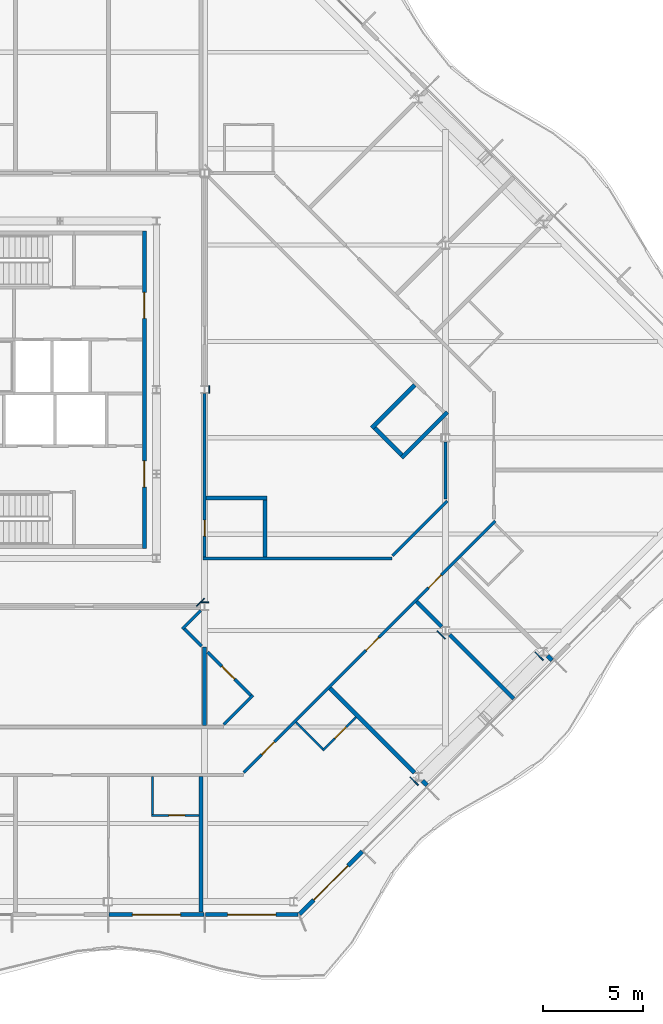
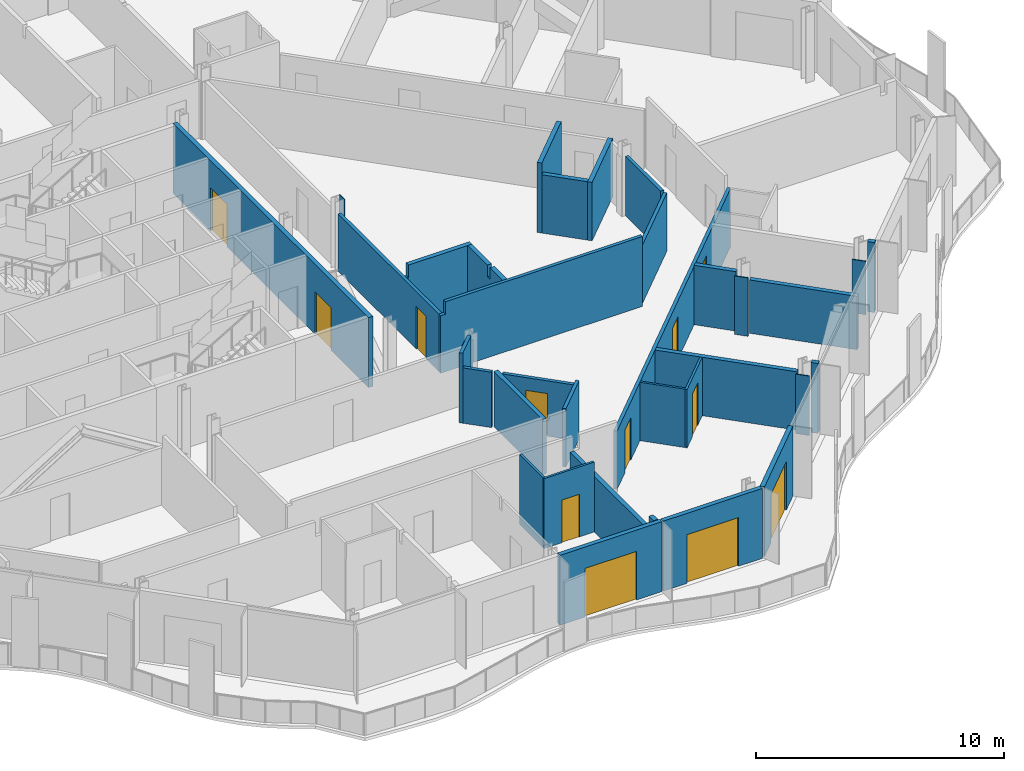
# One storey, part 9 of 17: 35 walls, 12 doors, 12 openings.
"""IFC4 building model written with IfcOpenShell, lengths in metres."""

from ifc_helpers import new_model, si_unit, direction, frame, frame_2d, origin, place, context, subcontext, project, spatial, polyline, rectangle, outline, extrude, material, layer, layer_set, type_object, element, fill, save


model = new_model("IFC4")

# Units and contexts
model_context = context("Model", 3, precision=1e-05, world=origin(), true_north=direction((0.0, 1.0)))
body_context = subcontext(model_context, "Body", "Model", "MODEL_VIEW")
ifc_project = project(units=[si_unit("LENGTHUNIT", "METRE"), si_unit("AREAUNIT", "SQUARE_METRE"), si_unit("VOLUMEUNIT", "CUBIC_METRE"), si_unit("PLANEANGLEUNIT", "RADIAN"), si_unit("MASSUNIT", "GRAM", prefix="KILO")], contexts=[model_context])

# Site, building, storey
site_placement = place(None, origin())
site = spatial("IfcSite", under=ifc_project, at=site_placement, CompositionType="ELEMENT")
building_placement = place(site_placement, origin())
building = spatial("IfcBuilding", under=site, at=building_placement, Name="Cairn Pilgrim Tower", CompositionType="ELEMENT")
storey_placement = place(building_placement, frame((0.0, 0.0, 253.800048828125)))
storey = spatial("IfcBuildingStorey", under=building, at=storey_placement, Name="L65", CompositionType="ELEMENT", Elevation=253.800048828125)

# Wall, opening, door
ifc_material_1 = material(Name="Bronze anodised aluminium insulated sandwich panel with mineral wool fill", Category="aluminium")
ifc_layer_1 = layer(ifc_material_1, 0.199951171875)
ifc_layer_set_1 = layer_set([ifc_layer_1], Name="BRONZE INFILL FRAME WALL 200")
wall_type_1 = type_object("IfcWallType", Name="BRONZE INFILL FRAME WALL 200", PredefinedType="NOTDEFINED", material=ifc_layer_set_1)
wall_1_placement = place(storey_placement, frame((14.429931640625, -23.75, 0.0), z_axis=(0.0, 0.0, 1.0), x_axis=(1.0, 0.0, 0.0)))
wall_1 = element("IfcWall", 1, at=wall_1_placement, inside=storey, type_object=wall_type_1, Name="Bronze infill frame wall IW-S3", PredefinedType="NOTDEFINED", context=body_context, shape_type="SweptSolid", body=[
    extrude(rectangle(XDim=4.739990234375, YDim=0.199951171875, at=frame_2d((2.3701171875, 0.0))), origin(), (0.0, 0.0, 1.0), 3.449951171875),
])
opening_1_placement = place(wall_1_placement, frame((1.169921875, 0.0, 0.0)))
opening_1 = element("IfcOpeningElement", 2, at=opening_1_placement, cuts=wall_1, Name="Opening 6515SB", PredefinedType="OPENING", context=body_context, shape_type="SweptSolid", body=[
    extrude(rectangle(XDim=2.39990234375, YDim=2.39990234375, at=frame_2d((1.199951171875, 1.199951171875))), frame((0.0, 0.10986328125, 0.0), z_axis=(0.0, -1.0, 0.0), x_axis=(1.0, 0.0, 0.0)), (0.0, 0.0, 1.0), 0.219970703125),
])
ifc_material_2 = material(Name="Bronze anodised aluminium frame with tinted low-E glass", Category="aluminium")
door_type_1 = type_object("IfcDoorType", Name="BALCONY SLIDING DOOR 2400x2400", OperationType="DOUBLE_DOOR_SLIDING", PredefinedType="DOOR", material=ifc_material_2)
door_1_placement = place(opening_1_placement, origin())
door_1 = element("IfcDoor", 3, at=door_1_placement, inside=storey, type_object=door_type_1, Name="Balcony sliding door 6515SB", OperationType="SINGLE_SWING_LEFT", OverallHeight=2.39990234375, OverallWidth=2.39990234375, PredefinedType="DOOR", context=body_context, shape_type="SweptSolid", body=[
    extrude(rectangle(XDim=2.39990234375, YDim=2.39990234375, at=frame_2d((1.199951171875, 1.199951171875))), frame((0.0, 0.02490234375, 0.0), z_axis=(0.0, -1.0, 0.0), x_axis=(1.0, 0.0, 0.0)), (0.0, 0.0, 1.0), 0.050048828125),
])
fill(opening_1, door_1)

wall_2_placement = place(storey_placement, frame((19.22998046875, -23.75, 0.0), z_axis=(0.0, 0.0, 1.0), x_axis=(1.0, 0.0, 0.0)))
wall_2 = element("IfcWall", 4, at=wall_2_placement, inside=storey, type_object=wall_type_1, Name="Bronze infill frame wall IW-S4", PredefinedType="NOTDEFINED", context=body_context, shape_type="SweptSolid", body=[
    extrude(rectangle(XDim=4.62646484375, YDim=0.199951171875, at=frame_2d((2.313232421875, 0.0))), origin(), (0.0, 0.0, 1.0), 3.449951171875),
])
opening_2_placement = place(wall_2_placement, frame((1.11865234375, 0.0, 0.0)))
opening_2 = element("IfcOpeningElement", 5, at=opening_2_placement, cuts=wall_2, Name="Opening 6501B", PredefinedType="OPENING", context=body_context, shape_type="SweptSolid", body=[
    extrude(rectangle(XDim=2.39990234375, YDim=2.39990234375, at=frame_2d((1.199951171875, 1.199951171875))), frame((0.0, 0.10986328125, 0.0), z_axis=(0.0, -1.0, 0.0), x_axis=(1.0, 0.0, 0.0)), (0.0, 0.0, 1.0), 0.219970703125),
])
door_2_placement = place(opening_2_placement, origin())
door_2 = element("IfcDoor", 6, at=door_2_placement, inside=storey, type_object=door_type_1, Name="Balcony sliding door 6501B", OperationType="SINGLE_SWING_LEFT", OverallHeight=2.39990234375, OverallWidth=2.39990234375, PredefinedType="DOOR", context=body_context, shape_type="SweptSolid", body=[
    extrude(rectangle(XDim=2.39990234375, YDim=2.39990234375, at=frame_2d((1.199951171875, 1.199951171875))), frame((0.0, 0.02490234375, 0.0), z_axis=(0.0, -1.0, 0.0), x_axis=(1.0, 0.0, 0.0)), (0.0, 0.0, 1.0), 0.050048828125),
])
fill(opening_2, door_2)

wall_3_placement = place(storey_placement, frame((23.9248046875, -23.7216796875, 0.0), z_axis=(0.0, 0.0, 1.0), x_axis=(0.707106781187, 0.707106781187, 0.0)))
wall_3 = element("IfcWall", 7, at=wall_3_placement, inside=storey, type_object=wall_type_1, Name="Bronze infill frame wall IW-SE1", PredefinedType="NOTDEFINED", context=body_context, shape_type="SweptSolid", body=[
    extrude(rectangle(XDim=4.4208984375, YDim=0.199951171875, at=frame_2d((2.21044921875, 0.0))), origin(), (0.0, 0.0, 1.0), 3.449951171875),
])
opening_3_placement = place(wall_3_placement, frame((1.00537109375, 0.0, 0.0)))
opening_3 = element("IfcOpeningElement", 8, at=opening_3_placement, cuts=wall_3, Name="Opening 6501B2", PredefinedType="OPENING", context=body_context, shape_type="SweptSolid", body=[
    extrude(rectangle(XDim=2.39990234375, YDim=2.39990234375, at=frame_2d((1.199951171875, 1.199951171875))), frame((0.0, 0.10986328125, 0.0), z_axis=(0.0, -1.0, 0.0), x_axis=(1.0, 0.0, 0.0)), (0.0, 0.0, 1.0), 0.219970703125),
])
door_3_placement = place(opening_3_placement, origin())
door_3 = element("IfcDoor", 9, at=door_3_placement, inside=storey, type_object=door_type_1, Name="Balcony sliding door 6501B2", OperationType="SINGLE_SWING_LEFT", OverallHeight=2.39990234375, OverallWidth=2.39990234375, PredefinedType="DOOR", context=body_context, shape_type="SweptSolid", body=[
    extrude(rectangle(XDim=2.39990234375, YDim=2.39990234375, at=frame_2d((1.199951171875, 1.199951171875))), frame((0.0, 0.02490234375, 0.0), z_axis=(0.0, -1.0, 0.0), x_axis=(1.0, 0.0, 0.0)), (0.0, 0.0, 1.0), 0.050048828125),
])
fill(opening_3, door_3)

# Wall, openings, doors
ifc_material_3 = material(Name="Concrete C32/40", Category="concrete")
ifc_layer_2 = layer(ifc_material_3, 0.199951171875)
ifc_layer_set_2 = layer_set([ifc_layer_2], Name="CORE OUTER WALL 200 EI 120")
wall_type_2 = type_object("IfcWallType", Name="CORE OUTER WALL 200 EI 120", PredefinedType="SOLIDWALL", material=ifc_layer_set_2)
wall_4_placement = place(storey_placement, frame((16.199951171875, -5.5, 0.0), z_axis=(0.0, 0.0, 1.0), x_axis=(0.0, 1.0, 0.0)))
wall_4 = element("IfcWall", 10, at=wall_4_placement, inside=storey, type_object=wall_type_2, Name="CW:L65:V31", PredefinedType="SOLIDWALL", context=body_context, shape_type="SweptSolid", body=[
    extrude(rectangle(XDim=15.800048828125, YDim=0.199951171875, at=frame_2d((7.89990234375, 0.0))), origin(), (0.0, 0.0, 1.0), 3.449951171875),
])
opening_4_placement = place(wall_4_placement, frame((3.050048828125, 0.0, 0.0)))
opening_4 = element("IfcOpeningElement", 11, at=opening_4_placement, cuts=wall_4, Name="Opening CD-E1", PredefinedType="OPENING", context=body_context, shape_type="SweptSolid", body=[
    extrude(rectangle(XDim=1.300048828125, YDim=2.10009765625, at=frame_2d((0.64990234375, 1.050048828125))), frame((0.0, 0.10986328125, 0.0), z_axis=(0.0, -1.0, 0.0), x_axis=(1.0, 0.0, 0.0)), (0.0, 0.0, 1.0), 0.219970703125),
])
opening_5_placement = place(wall_4_placement, frame((11.449951171875, 0.0, 0.0)))
opening_5 = element("IfcOpeningElement", 12, at=opening_5_placement, cuts=wall_4, Name="Opening CD-E2", PredefinedType="OPENING", context=body_context, shape_type="SweptSolid", body=[
    extrude(rectangle(XDim=1.300048828125, YDim=2.10009765625, at=frame_2d((0.64990234375, 1.050048828125))), frame((0.0, 0.10986328125, 0.0), z_axis=(0.0, -1.0, 0.0), x_axis=(1.0, 0.0, 0.0)), (0.0, 0.0, 1.0), 0.219970703125),
])
ifc_material_4 = material(Name="Painted steel", Category="steel")
door_type_2 = type_object("IfcDoorType", Name="CORE LOBBY DOOR 1300x2100", OperationType="DOUBLE_DOOR_SINGLE_SWING", PredefinedType="DOOR", material=ifc_material_4)
door_4_placement = place(opening_4_placement, origin())
door_4 = element("IfcDoor", 13, at=door_4_placement, inside=storey, type_object=door_type_2, Name="CD-E1", OperationType="DOUBLE_DOOR_SINGLE_SWING", OverallHeight=2.10009765625, OverallWidth=1.300048828125, PredefinedType="DOOR", context=body_context, shape_type="SweptSolid", body=[
    extrude(rectangle(XDim=1.300048828125, YDim=2.10009765625, at=frame_2d((0.64990234375, 1.050048828125))), frame((0.0, 0.02490234375, 0.0), z_axis=(0.0, -1.0, 0.0), x_axis=(1.0, 0.0, 0.0)), (0.0, 0.0, 1.0), 0.050048828125),
])
fill(opening_4, door_4)
door_5_placement = place(opening_5_placement, origin())
door_5 = element("IfcDoor", 14, at=door_5_placement, inside=storey, type_object=door_type_2, Name="CD-E2", OperationType="DOUBLE_DOOR_SINGLE_SWING", OverallHeight=2.10009765625, OverallWidth=1.300048828125, PredefinedType="DOOR", context=body_context, shape_type="SweptSolid", body=[
    extrude(rectangle(XDim=1.300048828125, YDim=2.10009765625, at=frame_2d((0.64990234375, 1.050048828125))), frame((0.0, 0.02490234375, 0.0), z_axis=(0.0, -1.0, 0.0), x_axis=(1.0, 0.0, 0.0)), (0.0, 0.0, 1.0), 0.050048828125),
])
fill(opening_5, door_5)

# Wall, opening, door
ifc_material_5 = material(Name="Gypsum partition")
ifc_layer_3 = layer(ifc_material_5, 0.10009765625)
ifc_layer_set_3 = layer_set([ifc_layer_3], Name="PARTITION 100 DRYWALL")
wall_type_3 = type_object("IfcWallType", Name="PARTITION 100 DRYWALL", PredefinedType="PARTITIONING", material=ifc_layer_set_3)
wall_5_placement = place(storey_placement, frame((16.56396484375, -18.800048828125, 0.0), z_axis=(0.0, 0.0, 1.0), x_axis=(1.0, 0.0, 0.0)))
wall_5 = element("IfcWall", 15, at=wall_5_placement, inside=storey, type_object=wall_type_3, Name="PARTITION W007", PredefinedType="PARTITIONING", context=body_context, shape_type="SweptSolid", body=[
    extrude(rectangle(XDim=2.35009765625, YDim=0.10009765625, at=frame_2d((1.175048828125, 0.0))), origin(), (0.0, 0.0, 1.0), 3.449951171875),
])
opening_6_placement = place(wall_5_placement, frame((0.85009765625, 0.0, 0.0)))
opening_6 = element("IfcOpeningElement", 16, at=opening_6_placement, cuts=wall_5, Name="Opening 6515A", PredefinedType="OPENING", context=body_context, shape_type="SweptSolid", body=[
    extrude(rectangle(XDim=0.800048828125, YDim=2.10009765625, at=frame_2d((0.39990234375, 1.050048828125))), frame((0.0, 0.06005859375, 0.0), z_axis=(0.0, -1.0, 0.0), x_axis=(1.0, 0.0, 0.0)), (0.0, 0.0, 1.0), 0.1201171875),
])
ifc_material_6 = material(Name="Timber door leaf", Category="wood")
door_type_3 = type_object("IfcDoorType", Name="WC DOOR 800x2100", OperationType="NOTDEFINED", PredefinedType="DOOR", material=ifc_material_6)
door_6_placement = place(opening_6_placement, frame((0.800048828125, 0.0, 0.0), z_axis=(0.0, 0.0, 1.0), x_axis=(-1.0, 0.0, 0.0)))
door_6 = element("IfcDoor", 17, at=door_6_placement, inside=storey, type_object=door_type_3, Name="DOOR 6515A", OperationType="SINGLE_SWING_LEFT", OverallHeight=2.10009765625, OverallWidth=0.800048828125, PredefinedType="DOOR", context=body_context, shape_type="SweptSolid", body=[
    extrude(rectangle(XDim=0.800048828125, YDim=2.10009765625, at=frame_2d((0.39990234375, 1.050048828125))), frame((0.0, 0.02490234375, 0.0), z_axis=(0.0, -1.0, 0.0), x_axis=(1.0, 0.0, 0.0)), (0.0, 0.0, 1.0), 0.050048828125),
])
fill(opening_6, door_6)

# Wall
wall_6_placement = place(storey_placement, frame((16.614013671875, -18.75, 0.0), z_axis=(0.0, 0.0, 1.0), x_axis=(0.0, 1.0, 0.0)))
element("IfcWall", 18, at=wall_6_placement, inside=storey, type_object=wall_type_3, Name="PARTITION W008", PredefinedType="PARTITIONING", context=body_context, shape_type="SweptSolid", body=[
    extrude(rectangle(XDim=1.875, YDim=0.10009765625, at=frame_2d((0.9375, 0.0))), origin(), (0.0, 0.0, 1.0), 3.449951171875),
])

# Wall, opening, door
wall_7_placement = place(storey_placement, frame((25.07861328125, -15.5673828125, 0.0), z_axis=(0.0, 0.0, 1.0), x_axis=(0.707106781187, 0.707106781187, 0.0)))
wall_7 = element("IfcWall", 19, at=wall_7_placement, inside=storey, type_object=wall_type_3, Name="PARTITION W014", PredefinedType="PARTITIONING", context=body_context, shape_type="SweptSolid", body=[
    extrude(rectangle(XDim=2.349853515625, YDim=0.10009765625, at=frame_2d((1.1748046875, 0.0))), origin(), (0.0, 0.0, 1.0), 2.8798828125),
])
opening_7_placement = place(wall_7_placement, frame((0.85009765625, 0.0, 0.0)))
opening_7 = element("IfcOpeningElement", 20, at=opening_7_placement, cuts=wall_7, Name="Opening 6501A", PredefinedType="OPENING", context=body_context, shape_type="SweptSolid", body=[
    extrude(rectangle(XDim=0.800048828125, YDim=2.10009765625, at=frame_2d((0.39990234375, 1.050048828125))), frame((0.0, 0.06005859375, 0.0), z_axis=(0.0, -1.0, 0.0), x_axis=(1.0, 0.0, 0.0)), (0.0, 0.0, 1.0), 0.1201171875),
])
door_7_placement = place(opening_7_placement, frame((0.800048828125, 0.0, 0.0), z_axis=(0.0, 0.0, 1.0), x_axis=(-1.0, 0.0, 0.0)))
door_7 = element("IfcDoor", 21, at=door_7_placement, inside=storey, type_object=door_type_3, Name="DOOR 6501A", OperationType="SINGLE_SWING_RIGHT", OverallHeight=2.10009765625, OverallWidth=0.800048828125, PredefinedType="DOOR", context=body_context, shape_type="SweptSolid", body=[
    extrude(rectangle(XDim=0.800048828125, YDim=2.10009765625, at=frame_2d((0.39990234375, 1.050048828125))), frame((0.0, 0.02490234375, 0.0), z_axis=(0.0, -1.0, 0.0), x_axis=(1.0, 0.0, 0.0)), (0.0, 0.0, 1.0), 0.050048828125),
])
fill(opening_7, door_7)

# Wall
wall_8_placement = place(storey_placement, frame((25.07861328125, -15.49658203125, 0.0), z_axis=(0.0, 0.0, 1.0), x_axis=(-0.707106781187, 0.707106781187, 0.0)))
element("IfcWall", 22, at=wall_8_placement, inside=storey, type_object=wall_type_3, Name="PARTITION W015", PredefinedType="PARTITIONING", context=body_context, shape_type="SweptSolid", body=[
    extrude(rectangle(XDim=1.874755859375, YDim=0.10009765625, at=frame_2d((0.9375, 0.0))), origin(), (0.0, 0.0, 1.0), 2.8798828125),
])

# Wall, openings, doors
ifc_layer_4 = layer(ifc_material_5, 0.14990234375)
ifc_layer_set_4 = layer_set([ifc_layer_4], Name="PARTITION 150 DRYWALL EI 60")
wall_type_4 = type_object("IfcWallType", Name="PARTITION 150 DRYWALL EI 60", PredefinedType="PARTITIONING", material=ifc_layer_set_4)
wall_9_placement = place(storey_placement, frame((21.14599609375, -16.672119140625, 0.0), z_axis=(0.0, 0.0, 1.0), x_axis=(0.707106781187, 0.707106781187, 0.0)))
wall_9 = element("IfcWall", 23, at=wall_9_placement, inside=storey, type_object=wall_type_4, Name="PARTITION W012", PredefinedType="PARTITIONING", context=body_context, shape_type="SweptSolid", body=[
    extrude(rectangle(XDim=17.71875, YDim=0.14990234375, at=frame_2d((8.859375, 0.0))), origin(), (0.0, 0.0, 1.0), 2.8798828125),
])
opening_8_placement = place(wall_9_placement, frame((1.265869140625, 0.0, 0.0)))
opening_8 = element("IfcOpeningElement", 24, at=opening_8_placement, cuts=wall_9, Name="Opening 6501", PredefinedType="OPENING", context=body_context, shape_type="SweptSolid", body=[
    extrude(rectangle(XDim=0.89990234375, YDim=2.10009765625, at=frame_2d((0.449951171875, 1.050048828125))), frame((0.0, 0.0849609375, 0.0), z_axis=(0.0, -1.0, 0.0), x_axis=(1.0, 0.0, 0.0)), (0.0, 0.0, 1.0), 0.169921875),
])
opening_9_placement = place(wall_9_placement, frame((8.61083984375, 0.0, 0.0)))
opening_9 = element("IfcOpeningElement", 25, at=opening_9_placement, cuts=wall_9, Name="Opening 6502", PredefinedType="OPENING", context=body_context, shape_type="SweptSolid", body=[
    extrude(rectangle(XDim=0.89990234375, YDim=2.10009765625, at=frame_2d((0.449951171875, 1.050048828125))), frame((0.0, 0.0849609375, 0.0), z_axis=(0.0, -1.0, 0.0), x_axis=(1.0, 0.0, 0.0)), (0.0, 0.0, 1.0), 0.169921875),
])
opening_10_placement = place(wall_9_placement, frame((13.01171875, 0.0, 0.0)))
opening_10 = element("IfcOpeningElement", 26, at=opening_10_placement, cuts=wall_9, Name="Opening 6503", PredefinedType="OPENING", context=body_context, shape_type="SweptSolid", body=[
    extrude(rectangle(XDim=0.89990234375, YDim=2.10009765625, at=frame_2d((0.449951171875, 1.050048828125))), frame((0.0, 0.0849609375, 0.0), z_axis=(0.0, -1.0, 0.0), x_axis=(1.0, 0.0, 0.0)), (0.0, 0.0, 1.0), 0.169921875),
])
door_type_4 = type_object("IfcDoorType", Name="ROOM DOOR 900x2100 FD30S", OperationType="NOTDEFINED", PredefinedType="DOOR", material=ifc_material_6)
door_8_placement = place(opening_8_placement, frame((0.89990234375, 0.0, 0.0), z_axis=(0.0, 0.0, 1.0), x_axis=(-1.0, 0.0, 0.0)))
door_8 = element("IfcDoor", 27, at=door_8_placement, inside=storey, type_object=door_type_4, Name="DOOR 6501", OperationType="SINGLE_SWING_RIGHT", OverallHeight=2.10009765625, OverallWidth=0.89990234375, PredefinedType="DOOR", context=body_context, shape_type="SweptSolid", body=[
    extrude(rectangle(XDim=0.89990234375, YDim=2.10009765625, at=frame_2d((0.449951171875, 1.050048828125))), frame((0.0, 0.02490234375, 0.0), z_axis=(0.0, -1.0, 0.0), x_axis=(1.0, 0.0, 0.0)), (0.0, 0.0, 1.0), 0.050048828125),
])
fill(opening_8, door_8)
door_type_5 = type_object("IfcDoorType", Name="SERVICE DOOR 900x2100 FD30S", OperationType="NOTDEFINED", PredefinedType="DOOR", material=ifc_material_6)
door_9_placement = place(opening_9_placement, frame((0.89990234375, 0.0, 0.0), z_axis=(0.0, 0.0, 1.0), x_axis=(-1.0, 0.0, 0.0)))
door_9 = element("IfcDoor", 28, at=door_9_placement, inside=storey, type_object=door_type_5, Name="DOOR 6502", OperationType="SINGLE_SWING_RIGHT", OverallHeight=2.10009765625, OverallWidth=0.89990234375, PredefinedType="DOOR", context=body_context, shape_type="SweptSolid", body=[
    extrude(rectangle(XDim=0.89990234375, YDim=2.10009765625, at=frame_2d((0.449951171875, 1.050048828125))), frame((0.0, 0.02490234375, 0.0), z_axis=(0.0, -1.0, 0.0), x_axis=(1.0, 0.0, 0.0)), (0.0, 0.0, 1.0), 0.050048828125),
])
fill(opening_9, door_9)
door_10_placement = place(opening_10_placement, frame((0.89990234375, 0.0, 0.0), z_axis=(0.0, 0.0, 1.0), x_axis=(-1.0, 0.0, 0.0)))
door_10 = element("IfcDoor", 29, at=door_10_placement, inside=storey, type_object=door_type_5, Name="DOOR 6503", OperationType="SINGLE_SWING_RIGHT", OverallHeight=2.10009765625, OverallWidth=0.89990234375, PredefinedType="DOOR", context=body_context, shape_type="SweptSolid", body=[
    extrude(rectangle(XDim=0.89990234375, YDim=2.10009765625, at=frame_2d((0.449951171875, 1.050048828125))), frame((0.0, 0.02490234375, 0.0), z_axis=(0.0, -1.0, 0.0), x_axis=(1.0, 0.0, 0.0)), (0.0, 0.0, 1.0), 0.050048828125),
])
fill(opening_10, door_10)

# Wall
wall_10_placement = place(storey_placement, frame((20.15087890625, -14.27197265625, 0.0), z_axis=(0.0, 0.0, 1.0), x_axis=(0.707106781187, 0.707106781187, 0.0)))
element("IfcWall", 30, at=wall_10_placement, inside=storey, type_object=wall_type_4, Name="PARTITION W022", PredefinedType="PARTITIONING", context=body_context, shape_type="SweptSolid", body=[
    extrude(rectangle(XDim=2.054931640625, YDim=0.14990234375, at=frame_2d((1.02734375, 0.0))), origin(), (0.0, 0.0, 1.0), 2.8798828125),
])

# Wall, opening, door
wall_11_placement = place(storey_placement, frame((21.498046875, -12.819091796875, 0.0), z_axis=(0.0, 0.0, 1.0), x_axis=(-0.707106781187, 0.707106781187, 0.0)))
wall_11 = element("IfcWall", 31, at=wall_11_placement, inside=storey, type_object=wall_type_4, Name="PARTITION W025", PredefinedType="PARTITIONING", context=body_context, shape_type="SweptSolid", body=[
    extrude(rectangle(XDim=3.033447265625, YDim=0.14990234375, at=frame_2d((1.5166015625, 0.0))), origin(), (0.0, 0.0, 1.0), 2.72998046875),
])
opening_11_placement = place(wall_11_placement, frame((1.136962890625, 0.0, 0.0)))
opening_11 = element("IfcOpeningElement", 32, at=opening_11_placement, cuts=wall_11, Name="Opening 6518", PredefinedType="OPENING", context=body_context, shape_type="SweptSolid", body=[
    extrude(rectangle(XDim=0.89990234375, YDim=2.10009765625, at=frame_2d((0.449951171875, 1.050048828125))), frame((0.0, 0.0849609375, 0.0), z_axis=(0.0, -1.0, 0.0), x_axis=(1.0, 0.0, 0.0)), (0.0, 0.0, 1.0), 0.169921875),
])
door_11_placement = place(opening_11_placement, origin())
door_11 = element("IfcDoor", 33, at=door_11_placement, inside=storey, type_object=door_type_5, Name="DOOR 6518", OperationType="SINGLE_SWING_LEFT", OverallHeight=2.10009765625, OverallWidth=0.89990234375, PredefinedType="DOOR", context=body_context, shape_type="SweptSolid", body=[
    extrude(rectangle(XDim=0.89990234375, YDim=2.10009765625, at=frame_2d((0.449951171875, 1.050048828125))), frame((0.0, 0.02490234375, 0.0), z_axis=(0.0, -1.0, 0.0), x_axis=(1.0, 0.0, 0.0)), (0.0, 0.0, 1.0), 0.050048828125),
])
fill(opening_11, door_11)

# Walls
wall_12_placement = place(storey_placement, frame((19.047119140625, -10.3681640625, 0.0), z_axis=(0.0, 0.0, 1.0), x_axis=(-0.707409718716, 0.706803713817, 0.0)))
element("IfcWall", 34, at=wall_12_placement, inside=storey, type_object=wall_type_4, Name="PARTITION W028", PredefinedType="PARTITIONING", context=body_context, shape_type="SweptSolid", body=[
    extrude(rectangle(XDim=1.20849609375, YDim=0.14990234375, at=frame_2d((0.604248046875, 0.0))), origin(), (0.0, 0.0, 1.0), 2.72998046875),
])
wall_13_placement = place(storey_placement, frame((18.0859375, -9.513916015625, 0.0), z_axis=(0.0, 0.0, 1.0), x_axis=(0.707200419109, 0.707013130862, 0.0)))
element("IfcWall", 35, at=wall_13_placement, inside=storey, type_object=wall_type_4, Name="PARTITION W030", PredefinedType="PARTITIONING", context=body_context, shape_type="SweptSolid", body=[
    extrude(rectangle(XDim=1.303466796875, YDim=0.14990234375, at=frame_2d((0.65185546875, 0.0))), origin(), (0.0, 0.0, 1.0), 3.449951171875),
])
wall_14_placement = place(storey_placement, frame((19.125, -6.0, 0.0), z_axis=(0.0, 0.0, 1.0), x_axis=(1.0, 0.0, 0.0)))
element("IfcWall", 36, at=wall_14_placement, inside=storey, type_object=wall_type_4, Name="PARTITION W037", PredefinedType="PARTITIONING", context=body_context, shape_type="SweptSolid", body=[
    extrude(outline(polyline([(0.0, 0.0), (9.405029296875, 0.0), (9.405029296875, 3.449951171875), (0.22509765625, 3.449951171875), (0.222900390625, 2.829833984375), (0.0, 2.829833984375), (0.0, 0.0)])), frame((0.0, 0.074951171875, 0.0), z_axis=(0.0, -1.0, 0.0), x_axis=(1.0, 0.0, 0.0)), (0.0, 0.0, 1.0), 0.14990234375),
])

# Wall, opening, door
wall_15_placement = place(storey_placement, frame((19.199951171875, -5.925048828125, 0.0), z_axis=(0.0, 0.0, 1.0), x_axis=(0.0, 1.0, 0.0)))
wall_15 = element("IfcWall", 37, at=wall_15_placement, inside=storey, type_object=wall_type_4, Name="PARTITION W040", PredefinedType="PARTITIONING", context=body_context, shape_type="SweptSolid", body=[
    extrude(rectangle(XDim=8.137451171875, YDim=0.14990234375, at=frame_2d((4.06884765625, 0.0))), origin(), (0.0, 0.0, 1.0), 2.829833984375),
])
opening_12_placement = place(wall_15_placement, frame((1.02490234375, 0.0, 0.0)))
opening_12 = element("IfcOpeningElement", 38, at=opening_12_placement, cuts=wall_15, Name="Opening 6516", PredefinedType="OPENING", context=body_context, shape_type="SweptSolid", body=[
    extrude(rectangle(XDim=0.800048828125, YDim=2.10009765625, at=frame_2d((0.39990234375, 1.050048828125))), frame((0.0, 0.0849609375, 0.0), z_axis=(0.0, -1.0, 0.0), x_axis=(1.0, 0.0, 0.0)), (0.0, 0.0, 1.0), 0.169921875),
])
door_type_6 = type_object("IfcDoorType", Name="WC DOOR 800x2100 FD30S", OperationType="NOTDEFINED", PredefinedType="DOOR", material=ifc_material_6)
door_12_placement = place(opening_12_placement, frame((0.800048828125, 0.0, 0.0), z_axis=(0.0, 0.0, 1.0), x_axis=(-1.0, 0.0, 0.0)))
door_12 = element("IfcDoor", 39, at=door_12_placement, inside=storey, type_object=door_type_6, Name="DOOR 6516", OperationType="SINGLE_SWING_LEFT", OverallHeight=2.10009765625, OverallWidth=0.800048828125, PredefinedType="DOOR", context=body_context, shape_type="SweptSolid", body=[
    extrude(rectangle(XDim=0.800048828125, YDim=2.10009765625, at=frame_2d((0.39990234375, 1.050048828125))), frame((0.0, 0.02490234375, 0.0), z_axis=(0.0, -1.0, 0.0), x_axis=(1.0, 0.0, 0.0)), (0.0, 0.0, 1.0), 0.050048828125),
])
fill(opening_12, door_12)

# Walls
wall_16_placement = place(storey_placement, frame((28.552001953125, -5.8720703125, 0.0), z_axis=(0.0, 0.0, 1.0), x_axis=(0.707075081602, 0.70713847935, 0.0)))
element("IfcWall", 40, at=wall_16_placement, inside=storey, type_object=wall_type_4, Name="PARTITION W042", PredefinedType="PARTITIONING", context=body_context, shape_type="SweptSolid", body=[
    extrude(rectangle(XDim=3.850830078125, YDim=0.14990234375, at=frame_2d((1.92529296875, 0.0))), origin(), (0.0, 0.0, 1.0), 2.8798828125),
])
wall_17_placement = place(storey_placement, frame((31.199951171875, -3.04296875, 0.0), z_axis=(0.0, 0.0, 1.0), x_axis=(0.0, 1.0, 0.0)))
element("IfcWall", 41, at=wall_17_placement, inside=storey, type_object=wall_type_4, Name="PARTITION W047", PredefinedType="PARTITIONING", context=body_context, shape_type="SweptSolid", body=[
    extrude(rectangle(XDim=2.846435546875, YDim=0.14990234375, at=frame_2d((1.42333984375, 0.0))), origin(), (0.0, 0.0, 1.0), 2.929931640625),
])
ifc_layer_5 = layer(ifc_material_5, 0.050048828125)
ifc_layer_set_5 = layer_set([ifc_layer_5], Name="PARTITION 50 DRYWALL EI 60")
wall_type_5 = type_object("IfcWallType", Name="PARTITION 50 DRYWALL EI 60", PredefinedType="PARTITIONING", material=ifc_layer_set_5)
wall_18_placement = place(storey_placement, frame((29.833740234375, -17.298828125, 0.0), z_axis=(0.0, 0.0, 1.0), x_axis=(-0.707106781187, 0.707106781187, 0.0)))
element("IfcWall", 42, at=wall_18_placement, inside=storey, type_object=wall_type_5, Name="COLUMN CASING WC02", PredefinedType="PARTITIONING", context=body_context, shape_type="SweptSolid", body=[
    extrude(rectangle(XDim=0.573486328125, YDim=0.050048828125, at=frame_2d((0.28662109375, 0.0))), origin(), (0.0, 0.0, 1.0), 2.929931640625),
])
wall_19_placement = place(storey_placement, frame((31.182373046875, -10.013671875, 0.0), z_axis=(0.0, 0.0, 1.0), x_axis=(-0.707106781187, 0.707106781187, 0.0)))
element("IfcWall", 43, at=wall_19_placement, inside=storey, type_object=wall_type_5, Name="COLUMN CASING WC05", PredefinedType="PARTITIONING", context=body_context, shape_type="SweptSolid", body=[
    extrude(rectangle(XDim=0.56005859375, YDim=0.050048828125, at=frame_2d((0.280029296875, 0.0))), origin(), (0.0, 0.0, 1.0), 2.8798828125),
])
wall_20_placement = place(storey_placement, frame((36.05810546875, -11.07470703125, 0.0), z_axis=(0.0, 0.0, 1.0), x_axis=(-0.707106781187, 0.707106781187, 0.0)))
element("IfcWall", 44, at=wall_20_placement, inside=storey, type_object=wall_type_5, Name="COLUMN CASING WC06", PredefinedType="PARTITIONING", context=body_context, shape_type="SweptSolid", body=[
    extrude(rectangle(XDim=0.573486328125, YDim=0.050048828125, at=frame_2d((0.28662109375, 0.0))), origin(), (0.0, 0.0, 1.0), 2.6298828125),
])
wall_21_placement = place(storey_placement, frame((18.7978515625, -8.38232421875, 0.0), z_axis=(0.0, 0.0, 1.0), x_axis=(0.707106781187, 0.707106781187, 0.0)))
element("IfcWall", 45, at=wall_21_placement, inside=storey, type_object=wall_type_5, Name="COLUMN CASING WC08", PredefinedType="PARTITIONING", context=body_context, shape_type="SweptSolid", body=[
    extrude(rectangle(XDim=0.543701171875, YDim=0.050048828125, at=frame_2d((0.27197265625, 0.0))), origin(), (0.0, 0.0, 1.0), 2.829833984375),
])
wall_22_placement = place(storey_placement, frame((19.0029296875, -8.1875, 0.0), z_axis=(0.0, 0.0, 1.0), x_axis=(1.0, 0.0, 0.0)))
element("IfcWall", 46, at=wall_22_placement, inside=storey, type_object=wall_type_5, Name="COLUMN CASING WC13", PredefinedType="PARTITIONING", context=body_context, shape_type="SweptSolid", body=[
    extrude(rectangle(XDim=0.39404296875, YDim=0.050048828125, at=frame_2d((0.197021484375, 0.0))), origin(), (0.0, 0.0, 1.0), 2.829833984375),
])
wall_23_placement = place(storey_placement, frame((19.422119140625, 2.21240234375, 0.0), z_axis=(0.0, 0.0, 1.0), x_axis=(0.0, 1.0, 0.0)))
element("IfcWall", 47, at=wall_23_placement, inside=storey, type_object=wall_type_5, Name="COLUMN CASING WC14", PredefinedType="PARTITIONING", context=body_context, shape_type="SweptSolid", body=[
    extrude(rectangle(XDim=0.375, YDim=0.050048828125, at=frame_2d((0.1875, 0.0))), origin(), (0.0, 0.0, 1.0), 3.449951171875),
])
ifc_layer_6 = layer(ifc_material_5, 0.199951171875)
ifc_layer_set_6 = layer_set([ifc_layer_6], Name="SHAFT WALL 200 GYPSUM EI 60")
wall_type_6 = type_object("IfcWallType", Name="SHAFT WALL 200 GYPSUM EI 60", PredefinedType="PARTITIONING", material=ifc_layer_set_6)
wall_24_placement = place(storey_placement, frame((19.013916015625, -23.6201171875, 0.0), z_axis=(0.0, 0.0, 1.0), x_axis=(0.0, 1.0, 0.0)))
element("IfcWall", 48, at=wall_24_placement, inside=storey, type_object=wall_type_6, Name="PARTITION W003", PredefinedType="PARTITIONING", context=body_context, shape_type="SweptSolid", body=[
    extrude(outline(polyline([(0.0, 0.0), (6.7451171875, 0.0), (6.7451171875, 2.72998046875), (0.639892578125, 2.72998046875), (0.637939453125, 2.929931640625), (0.3701171875, 2.929931640625), (0.367919921875, 3.449951171875), (0.0, 3.449951171875), (0.0, 0.0)])), frame((0.0, 0.10009765625, 0.0), z_axis=(0.0, -1.0, 0.0), x_axis=(1.0, 0.0, 0.0)), (0.0, 0.0, 1.0), 0.199951171875),
])
wall_25_placement = place(storey_placement, frame((30.268798828125, -17.292724609375, 0.0), z_axis=(0.0, 0.0, 1.0), x_axis=(-0.707509117806, 0.706704215511, 0.0)))
element("IfcWall", 49, at=wall_25_placement, inside=storey, type_object=wall_type_6, Name="PARTITION W009", PredefinedType="PARTITIONING", context=body_context, shape_type="SweptSolid", body=[
    extrude(rectangle(XDim=0.30322265625, YDim=0.199951171875, at=frame_2d((0.151611328125, 0.0))), origin(), (0.0, 0.0, 1.0), 3.449951171875),
])
wall_26_placement = place(storey_placement, frame((29.64892578125, -16.6728515625, 0.0), z_axis=(0.0, 0.0, 1.0), x_axis=(-0.70712733811, 0.707086223665, 0.0)))
element("IfcWall", 50, at=wall_26_placement, inside=storey, type_object=wall_type_6, Name="PARTITION W013", PredefinedType="PARTITIONING", context=body_context, shape_type="SweptSolid", body=[
    extrude(rectangle(XDim=5.93798828125, YDim=0.199951171875, at=frame_2d((2.968994140625, 0.0))), origin(), (0.0, 0.0, 1.0), 2.8798828125),
])
wall_27_placement = place(storey_placement, frame((19.199951171875, -14.324951171875, 0.0), z_axis=(0.0, 0.0, 1.0), x_axis=(0.0, 1.0, 0.0)))
element("IfcWall", 51, at=wall_27_placement, inside=storey, type_object=wall_type_6, Name="PARTITION W021", PredefinedType="PARTITIONING", context=body_context, shape_type="SweptSolid", body=[
    extrude(rectangle(XDim=3.92041015625, YDim=0.199951171875, at=frame_2d((1.960205078125, 0.0))), origin(), (0.0, 0.0, 1.0), 2.72998046875),
])
wall_28_placement = place(storey_placement, frame((34.580810546875, -12.980712890625, 0.0), z_axis=(0.0, 0.0, 1.0), x_axis=(-0.707133900936, 0.707079660397, 0.0)))
element("IfcWall", 52, at=wall_28_placement, inside=storey, type_object=wall_type_6, Name="PARTITION W024", PredefinedType="PARTITIONING", context=body_context, shape_type="SweptSolid", body=[
    extrude(rectangle(XDim=4.5009765625, YDim=0.199951171875, at=frame_2d((2.25048828125, 0.0))), origin(), (0.0, 0.0, 1.0), 2.6298828125),
])
wall_29_placement = place(storey_placement, frame((36.492919921875, -11.06884765625, 0.0), z_axis=(0.0, 0.0, 1.0), x_axis=(-0.707106781187, 0.707106781187, 0.0)))
element("IfcWall", 53, at=wall_29_placement, inside=storey, type_object=wall_type_6, Name="PARTITION W026", PredefinedType="PARTITIONING", context=body_context, shape_type="SweptSolid", body=[
    extrude(rectangle(XDim=0.303466796875, YDim=0.199951171875, at=frame_2d((0.15185546875, 0.0))), origin(), (0.0, 0.0, 1.0), 3.449951171875),
])
wall_30_placement = place(storey_placement, frame((31.001953125, -9.402099609375, 0.0), z_axis=(0.0, 0.0, 1.0), x_axis=(-0.707106781187, 0.707106781187, 0.0)))
element("IfcWall", 54, at=wall_30_placement, inside=storey, type_object=wall_type_6, Name="PARTITION W031", PredefinedType="PARTITIONING", context=body_context, shape_type="SweptSolid", body=[
    extrude(rectangle(XDim=1.753662109375, YDim=0.199951171875, at=frame_2d((0.876953125, 0.0))), origin(), (0.0, 0.0, 1.0), 2.929931640625),
])
wall_31_placement = place(storey_placement, frame((22.199951171875, -5.925048828125, 0.0), z_axis=(0.0, 0.0, 1.0), x_axis=(0.0, 1.0, 0.0)))
element("IfcWall", 55, at=wall_31_placement, inside=storey, type_object=wall_type_6, Name="PARTITION W041", PredefinedType="PARTITIONING", context=body_context, shape_type="SweptSolid", body=[
    extrude(outline(polyline([(0.0, 0.0), (2.824951171875, 0.0), (2.824951171875, 3.449951171875), (1.22998046875, 3.449951171875), (1.22802734375, 2.8798828125), (1.02001953125, 2.8798828125), (1.01806640625, 3.449951171875), (0.0, 3.449951171875), (0.0, 0.0)])), frame((0.0, 0.10009765625, 0.0), z_axis=(0.0, -1.0, 0.0), x_axis=(1.0, 0.0, 0.0)), (0.0, 0.0, 1.0), 0.199951171875),
])
wall_32_placement = place(storey_placement, frame((19.27490234375, -3.0, 0.0), z_axis=(0.0, 0.0, 1.0), x_axis=(1.0, 0.0, 0.0)))
element("IfcWall", 56, at=wall_32_placement, inside=storey, type_object=wall_type_6, Name="PARTITION W046", PredefinedType="PARTITIONING", context=body_context, shape_type="SweptSolid", body=[
    extrude(outline(polyline([(0.0, 0.0), (3.025146484375, 0.0), (3.02490234375, 3.449951171875), (0.074951171875, 3.449951171875), (0.072998046875, 2.829833984375), (0.0, 2.829833984375), (0.0, 0.0)])), frame((0.0, 0.10009765625, 0.0), z_axis=(0.0, -1.0, 0.0), x_axis=(1.0, 0.0, 0.0)), (0.0, 0.0, 1.0), 0.199951171875),
])
wall_33_placement = place(storey_placement, frame((29.00830078125, -0.99169921875, 0.0), z_axis=(0.0, 0.0, 1.0), x_axis=(0.707106781187, 0.707106781187, 0.0)))
element("IfcWall", 57, at=wall_33_placement, inside=storey, type_object=wall_type_6, Name="PARTITION W049", PredefinedType="PARTITIONING", context=body_context, shape_type="SweptSolid", body=[
    extrude(rectangle(XDim=3.2158203125, YDim=0.199951171875, at=frame_2d((1.60791015625, 0.0))), origin(), (0.0, 0.0, 1.0), 2.8798828125),
])
wall_34_placement = place(storey_placement, frame((29.00830078125, -0.850341796875, 0.0), z_axis=(0.0, 0.0, 1.0), x_axis=(-0.707042536715, 0.707171019822, 0.0)))
element("IfcWall", 58, at=wall_34_placement, inside=storey, type_object=wall_type_6, Name="PARTITION W050", PredefinedType="PARTITIONING", context=body_context, shape_type="SweptSolid", body=[
    extrude(rectangle(XDim=1.900146484375, YDim=0.199951171875, at=frame_2d((0.9501953125, 0.0))), origin(), (0.0, 0.0, 1.0), 2.8798828125),
])
wall_35_placement = place(storey_placement, frame((27.523193359375, 0.493408203125, 0.0), z_axis=(0.0, 0.0, 1.0), x_axis=(0.707147142314, 0.707066417755, 0.0)))
element("IfcWall", 59, at=wall_35_placement, inside=storey, type_object=wall_type_6, Name="PARTITION W052", PredefinedType="PARTITIONING", context=body_context, shape_type="SweptSolid", body=[
    extrude(rectangle(XDim=3.0244140625, YDim=0.199951171875, at=frame_2d((1.51220703125, 0.0))), origin(), (0.0, 0.0, 1.0), 3.449951171875),
])

save(model, "model.ifc")
